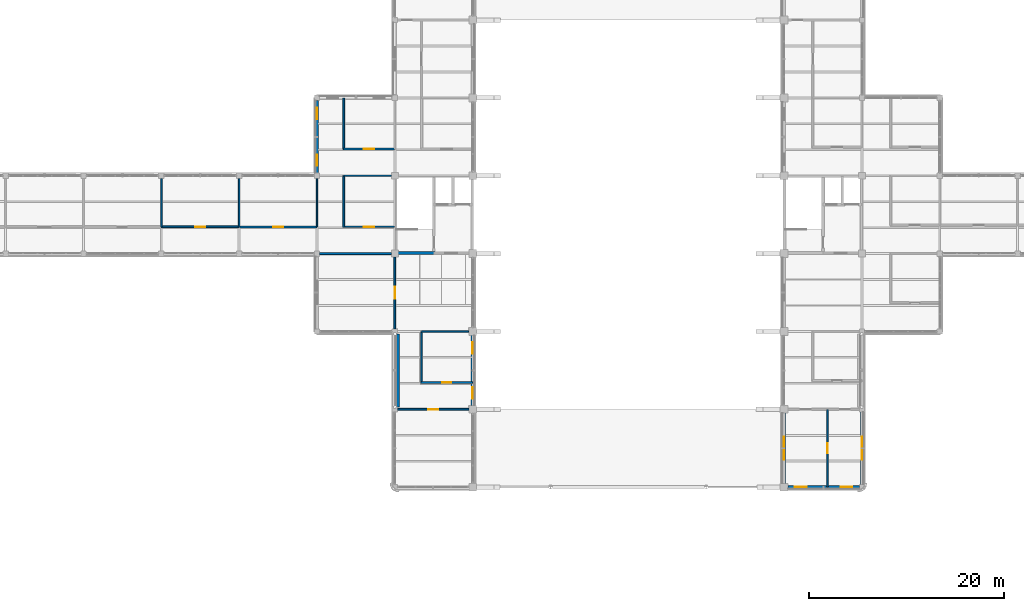
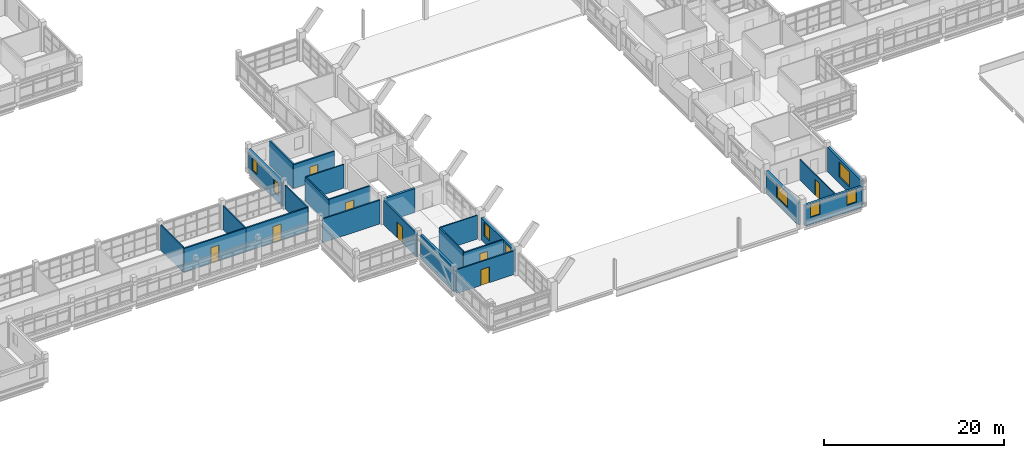
# One storey, part 65 of 92: 24 walls, 8 doors, 8 windows, 16 openings.
"""IFC4 building model written with IfcOpenShell, lengths in metres."""

from ifc_helpers import new_model, si_unit, derived_unit, direction, frame, frame_2d, origin, place, context, subcontext, project, spatial, rectangle, extrude, material, layer, layer_set, type_object, element, fill, save


model = new_model("IFC4")

# Units and contexts
model_context = context("Model", 3, precision=1e-05, world=origin(), true_north=direction((0.0, 1.0)))
body_context = subcontext(model_context, "Body", "Model", "MODEL_VIEW")
ifc_project = project(units=[si_unit("LENGTHUNIT", "METRE"), si_unit("AREAUNIT", "SQUARE_METRE"), si_unit("VOLUMEUNIT", "CUBIC_METRE"), si_unit("PLANEANGLEUNIT", "RADIAN"), si_unit("MASSUNIT", "GRAM", prefix="KILO"), derived_unit("THERMALTRANSMITTANCEUNIT", [(si_unit("MASSUNIT", "GRAM", prefix="KILO"), 1), (si_unit("TIMEUNIT", "SECOND"), -3), (si_unit("THERMODYNAMICTEMPERATUREUNIT", "KELVIN"), -1)])], contexts=[model_context])

# Site, building, storey
site_placement = place(None, origin())
site = spatial("IfcSite", under=ifc_project, at=site_placement, CompositionType="ELEMENT")
building_placement = place(site_placement, origin())
building = spatial("IfcBuilding", under=site, at=building_placement, Name="Veyamyaing Civic Hall", CompositionType="ELEMENT")
storey_placement = place(building_placement, frame((0.0, 0.0, 17.820068359375)))
storey = spatial("IfcBuildingStorey", under=building, at=storey_placement, Name="L04", CompositionType="ELEMENT", Elevation=17.820068359375)

# Wall, openings, windows
ifc_material_1 = material(Name="Precast concrete C40/50", Category="concrete")
ifc_layer_1 = layer(ifc_material_1, 0.304931640625, Name="Precast concrete C40/50")
ifc_layer_set_1 = layer_set([ifc_layer_1], Name="Precast concrete C40/50")
wall_type_1 = type_object("IfcWallType", Name="WT-03", PredefinedType="SOLIDWALL", material=ifc_layer_set_1)
wall_1_placement = place(storey_placement, frame((56.0, 56.260009765625, 0.0), z_axis=(0.0, 0.0, 1.0), x_axis=(0.0, 1.0, 0.0)))
wall_1 = element("IfcWall", 1, at=wall_1_placement, inside=storey, type_object=wall_type_1, Name="Exterior facade wall WT-03 L04 W 8.8", PredefinedType="SOLIDWALL", context=body_context, shape_type="SweptSolid", body=[
    extrude(rectangle(XDim=7.47998046875, YDim=0.304931640625, at=frame_2d((3.739990234375, 0.0))), origin(), (0.0, 0.0, 1.0), 3.288818359375),
])
opening_1_placement = place(wall_1_placement, frame((0.771484375, 0.0, 0.949951171875)))
opening_1 = element("IfcOpeningElement", 2, at=opening_1_placement, cuts=wall_1, Name="Opening W-32", PredefinedType="OPENING", context=body_context, shape_type="SweptSolid", body=[
    extrude(rectangle(XDim=1.14990234375, YDim=1.64990234375, at=frame_2d((0.574951171875, 0.824951171875))), frame((0.0, 0.162353515625, 0.0), z_axis=(0.0, -1.0, 0.0), x_axis=(1.0, 0.0, 0.0)), (0.0, 0.0, 1.0), 0.324951171875),
])
opening_2_placement = place(wall_1_placement, frame((5.55859375, 0.0, 0.949951171875)))
opening_2 = element("IfcOpeningElement", 3, at=opening_2_placement, cuts=wall_1, Name="Opening W-32", PredefinedType="OPENING", context=body_context, shape_type="SweptSolid", body=[
    extrude(rectangle(XDim=1.14990234375, YDim=1.64990234375, at=frame_2d((0.574951171875, 0.824951171875))), frame((0.0, 0.162353515625, 0.0), z_axis=(0.0, -1.0, 0.0), x_axis=(1.0, 0.0, 0.0)), (0.0, 0.0, 1.0), 0.324951171875),
])
ifc_material_2 = material(Name="Low-E insulated glass", Category="glass")
window_type_1 = type_object("IfcWindowType", Name="W-32", PartitioningType="SINGLE_PANEL", PredefinedType="WINDOW", material=ifc_material_2)
window_1_placement = place(opening_1_placement, origin())
window_1 = element("IfcWindow", 4, at=window_1_placement, inside=storey, type_object=window_type_1, Name="Facade window W-32 L04 W 8.8.1", OverallHeight=1.64990234375, OverallWidth=1.14990234375, PartitioningType="SINGLE_PANEL", PredefinedType="WINDOW", context=body_context, shape_type="SweptSolid", body=[
    extrude(rectangle(XDim=1.14990234375, YDim=1.64990234375, at=frame_2d((0.574951171875, 0.824951171875))), frame((0.0, 0.030029296875, 0.0), z_axis=(0.0, -1.0, 0.0), x_axis=(1.0, 0.0, 0.0)), (0.0, 0.0, 1.0), 0.06005859375),
])
fill(opening_1, window_1)
window_2_placement = place(opening_2_placement, origin())
window_2 = element("IfcWindow", 5, at=window_2_placement, inside=storey, type_object=window_type_1, Name="Facade window W-32 L04 W 8.8.2", OverallHeight=1.64990234375, OverallWidth=1.14990234375, PartitioningType="SINGLE_PANEL", PredefinedType="WINDOW", context=body_context, shape_type="SweptSolid", body=[
    extrude(rectangle(XDim=1.14990234375, YDim=1.64990234375, at=frame_2d((0.574951171875, 0.824951171875))), frame((0.0, 0.030029296875, 0.0), z_axis=(0.0, -1.0, 0.0), x_axis=(1.0, 0.0, 0.0)), (0.0, 0.0, 1.0), 0.06005859375),
])
fill(opening_2, window_2)

# Wall
wall_2_placement = place(storey_placement, frame((64.300048828125, 32.260009765625, 0.0), z_axis=(0.0, 0.0, 1.0), x_axis=(0.0, 1.0, 0.0)))
element("IfcWall", 6, at=wall_2_placement, inside=storey, type_object=wall_type_1, Name="Exterior facade wall WT-03 L04 W 9.5", PredefinedType="SOLIDWALL", context=body_context, shape_type="SweptSolid", body=[
    extrude(rectangle(XDim=7.47998046875, YDim=0.304931640625, at=frame_2d((3.739990234375, 0.0))), origin(), (0.0, 0.0, 1.0), 3.284912109375),
])

# Wall, openings, windows
wall_3_placement = place(storey_placement, frame((72.0, 32.385009765625, 0.0), z_axis=(0.0, 0.0, 1.0), x_axis=(0.0, 1.0, 0.0)))
wall_3 = element("IfcWall", 7, at=wall_3_placement, inside=storey, type_object=wall_type_1, Name="Exterior facade wall WT-03 L04 E 9.5", PredefinedType="SOLIDWALL", context=body_context, shape_type="SweptSolid", body=[
    extrude(rectangle(XDim=7.22998046875, YDim=0.304931640625, at=frame_2d((3.614990234375, 0.0))), origin(), (0.0, 0.0, 1.0), 3.001953125),
])
opening_3_placement = place(wall_3_placement, frame((0.701416015625, 0.0, 0.949951171875)))
opening_3 = element("IfcOpeningElement", 8, at=opening_3_placement, cuts=wall_3, Name="Opening W-14", PredefinedType="OPENING", context=body_context, shape_type="SweptSolid", body=[
    extrude(rectangle(XDim=1.199951171875, YDim=1.800048828125, at=frame_2d((0.60009765625, 0.89990234375))), frame((0.0, 0.162353515625, 0.0), z_axis=(0.0, -1.0, 0.0), x_axis=(1.0, 0.0, 0.0)), (0.0, 0.0, 1.0), 0.324951171875),
])
opening_4_placement = place(wall_3_placement, frame((5.32861328125, 0.0, 0.949951171875)))
opening_4 = element("IfcOpeningElement", 9, at=opening_4_placement, cuts=wall_3, Name="Opening W-14", PredefinedType="OPENING", context=body_context, shape_type="SweptSolid", body=[
    extrude(rectangle(XDim=1.199951171875, YDim=1.800048828125, at=frame_2d((0.60009765625, 0.89990234375))), frame((0.0, 0.162353515625, 0.0), z_axis=(0.0, -1.0, 0.0), x_axis=(1.0, 0.0, 0.0)), (0.0, 0.0, 1.0), 0.324951171875),
])
window_type_2 = type_object("IfcWindowType", Name="W-14", PartitioningType="SINGLE_PANEL", PredefinedType="WINDOW", material=ifc_material_2)
window_3_placement = place(opening_3_placement, origin())
window_3 = element("IfcWindow", 10, at=window_3_placement, inside=storey, type_object=window_type_2, Name="Facade window W-14 L04 E 9.5.1", OverallHeight=1.800048828125, OverallWidth=1.199951171875, PartitioningType="SINGLE_PANEL", PredefinedType="WINDOW", context=body_context, shape_type="SweptSolid", body=[
    extrude(rectangle(XDim=1.199951171875, YDim=1.800048828125, at=frame_2d((0.60009765625, 0.89990234375))), frame((0.0, 0.030029296875, 0.0), z_axis=(0.0, -1.0, 0.0), x_axis=(1.0, 0.0, 0.0)), (0.0, 0.0, 1.0), 0.06005859375),
])
fill(opening_3, window_3)
window_4_placement = place(opening_4_placement, origin())
window_4 = element("IfcWindow", 11, at=window_4_placement, inside=storey, type_object=window_type_2, Name="Facade window W-14 L04 E 9.5.2", OverallHeight=1.800048828125, OverallWidth=1.199951171875, PartitioningType="SINGLE_PANEL", PredefinedType="WINDOW", context=body_context, shape_type="SweptSolid", body=[
    extrude(rectangle(XDim=1.199951171875, YDim=1.800048828125, at=frame_2d((0.60009765625, 0.89990234375))), frame((0.0, 0.030029296875, 0.0), z_axis=(0.0, -1.0, 0.0), x_axis=(1.0, 0.0, 0.0)), (0.0, 0.0, 1.0), 0.06005859375),
])
fill(opening_4, window_4)

wall_4_placement = place(storey_placement, frame((104.385009765625, 24.0, 0.0), z_axis=(0.0, 0.0, 1.0), x_axis=(1.0, 0.0, 0.0)))
wall_4 = element("IfcWall", 12, at=wall_4_placement, inside=storey, type_object=wall_type_1, Name="Exterior facade wall WT-03 L04 S 14.4", PredefinedType="SOLIDWALL", context=body_context, shape_type="SweptSolid", body=[
    extrude(rectangle(XDim=7.35498046875, YDim=0.304931640625, at=frame_2d((3.677490234375, 0.0))), origin(), (0.0, 0.0, 1.0), 2.81689453125),
])
opening_5_placement = place(wall_4_placement, frame((0.723876953125, 0.0, 0.949951171875)))
opening_5 = element("IfcOpeningElement", 13, at=opening_5_placement, cuts=wall_4, Name="Opening W-14", PredefinedType="OPENING", context=body_context, shape_type="SweptSolid", body=[
    extrude(rectangle(XDim=1.199951171875, YDim=1.800048828125, at=frame_2d((0.60009765625, 0.89990234375))), frame((0.0, 0.162353515625, 0.0), z_axis=(0.0, -1.0, 0.0), x_axis=(1.0, 0.0, 0.0)), (0.0, 0.0, 1.0), 0.324951171875),
])
opening_6_placement = place(wall_4_placement, frame((5.43115234375, 0.0, 0.949951171875)))
opening_6 = element("IfcOpeningElement", 14, at=opening_6_placement, cuts=wall_4, Name="Opening W-14", PredefinedType="OPENING", context=body_context, shape_type="SweptSolid", body=[
    extrude(rectangle(XDim=1.199951171875, YDim=1.800048828125, at=frame_2d((0.60009765625, 0.89990234375))), frame((0.0, 0.162353515625, 0.0), z_axis=(0.0, -1.0, 0.0), x_axis=(1.0, 0.0, 0.0)), (0.0, 0.0, 1.0), 0.324951171875),
])
window_5_placement = place(opening_5_placement, origin())
window_5 = element("IfcWindow", 15, at=window_5_placement, inside=storey, type_object=window_type_2, Name="Facade window W-14 L04 S 14.4.1", OverallHeight=1.800048828125, OverallWidth=1.199951171875, PartitioningType="SINGLE_PANEL", PredefinedType="WINDOW", context=body_context, shape_type="SweptSolid", body=[
    extrude(rectangle(XDim=1.199951171875, YDim=1.800048828125, at=frame_2d((0.60009765625, 0.89990234375))), frame((0.0, 0.030029296875, 0.0), z_axis=(0.0, -1.0, 0.0), x_axis=(1.0, 0.0, 0.0)), (0.0, 0.0, 1.0), 0.06005859375),
])
fill(opening_5, window_5)
window_6_placement = place(opening_6_placement, origin())
window_6 = element("IfcWindow", 16, at=window_6_placement, inside=storey, type_object=window_type_2, Name="Facade window W-14 L04 S 14.4.2", OverallHeight=1.800048828125, OverallWidth=1.199951171875, PartitioningType="SINGLE_PANEL", PredefinedType="WINDOW", context=body_context, shape_type="SweptSolid", body=[
    extrude(rectangle(XDim=1.199951171875, YDim=1.800048828125, at=frame_2d((0.60009765625, 0.89990234375))), frame((0.0, 0.030029296875, 0.0), z_axis=(0.0, -1.0, 0.0), x_axis=(1.0, 0.0, 0.0)), (0.0, 0.0, 1.0), 0.06005859375),
])
fill(opening_6, window_6)

# Wall, opening, window
wall_5_placement = place(storey_placement, frame((104.0, 24.385009765625, 0.0), z_axis=(0.0, 0.0, 1.0), x_axis=(0.0, 1.0, 0.0)))
wall_5 = element("IfcWall", 17, at=wall_5_placement, inside=storey, type_object=wall_type_1, Name="Exterior facade wall WT-03 L04 W 14.4", PredefinedType="SOLIDWALL", context=body_context, shape_type="SweptSolid", body=[
    extrude(rectangle(XDim=7.22998046875, YDim=0.304931640625, at=frame_2d((3.614990234375, 0.0))), origin(), (0.0, 0.0, 1.0), 3.001953125),
])
opening_7_placement = place(wall_5_placement, frame((2.4150390625, 0.0, 0.89990234375)))
opening_7 = element("IfcOpeningElement", 18, at=opening_7_placement, cuts=wall_5, Name="Opening W-34", PredefinedType="OPENING", context=body_context, shape_type="SweptSolid", body=[
    extrude(rectangle(XDim=2.39990234375, YDim=1.902099609375, at=frame_2d((1.199951171875, 0.951171875))), frame((0.0, 0.162353515625, 0.0), z_axis=(0.0, -1.0, 0.0), x_axis=(1.0, 0.0, 0.0)), (0.0, 0.0, 1.0), 0.324951171875),
])
window_type_3 = type_object("IfcWindowType", Name="W-34", PartitioningType="SINGLE_PANEL", PredefinedType="WINDOW", material=ifc_material_2)
window_7_placement = place(opening_7_placement, origin())
window_7 = element("IfcWindow", 19, at=window_7_placement, inside=storey, type_object=window_type_3, Name="Facade window W-34 L04 W 14.4", OverallHeight=1.902099609375, OverallWidth=2.39990234375, PartitioningType="SINGLE_PANEL", PredefinedType="WINDOW", context=body_context, shape_type="SweptSolid", body=[
    extrude(rectangle(XDim=2.39990234375, YDim=1.902099609375, at=frame_2d((1.199951171875, 0.951171875))), frame((0.0, 0.030029296875, 0.0), z_axis=(0.0, -1.0, 0.0), x_axis=(1.0, 0.0, 0.0)), (0.0, 0.0, 1.0), 0.06005859375),
])
fill(opening_7, window_7)

wall_6_placement = place(storey_placement, frame((112.0, 24.260009765625, 0.0), z_axis=(0.0, 0.0, 1.0), x_axis=(0.0, 1.0, 0.0)))
wall_6 = element("IfcWall", 20, at=wall_6_placement, inside=storey, type_object=wall_type_1, Name="Exterior facade wall WT-03 L04 E 14.4", PredefinedType="SOLIDWALL", context=body_context, shape_type="SweptSolid", body=[
    extrude(rectangle(XDim=7.47998046875, YDim=0.304931640625, at=frame_2d((3.739990234375, 0.0))), origin(), (0.0, 0.0, 1.0), 3.348876953125),
])
opening_8_placement = place(wall_6_placement, frame((2.5400390625, 0.0, 0.89990234375)))
opening_8 = element("IfcOpeningElement", 21, at=opening_8_placement, cuts=wall_6, Name="Opening W-07", PredefinedType="OPENING", context=body_context, shape_type="SweptSolid", body=[
    extrude(rectangle(XDim=2.39990234375, YDim=2.0, at=frame_2d((1.199951171875, 1.0))), frame((0.0, 0.162353515625, 0.0), z_axis=(0.0, -1.0, 0.0), x_axis=(1.0, 0.0, 0.0)), (0.0, 0.0, 1.0), 0.324951171875),
])
window_type_4 = type_object("IfcWindowType", Name="W-07", PartitioningType="SINGLE_PANEL", PredefinedType="WINDOW", material=ifc_material_2)
window_8_placement = place(opening_8_placement, origin())
window_8 = element("IfcWindow", 22, at=window_8_placement, inside=storey, type_object=window_type_4, Name="Facade window W-07 L04 E 14.4", OverallHeight=2.0, OverallWidth=2.39990234375, PartitioningType="SINGLE_PANEL", PredefinedType="WINDOW", context=body_context, shape_type="SweptSolid", body=[
    extrude(rectangle(XDim=2.39990234375, YDim=2.0, at=frame_2d((1.199951171875, 1.0))), frame((0.0, 0.030029296875, 0.0), z_axis=(0.0, -1.0, 0.0), x_axis=(1.0, 0.0, 0.0)), (0.0, 0.0, 1.0), 0.06005859375),
])
fill(opening_8, window_8)

# Wall
ifc_material_3 = material(Name="Concrete C40/50", Category="concrete")
ifc_layer_2 = layer(ifc_material_3, 0.300048828125, Name="Concrete C40/50")
ifc_layer_set_2 = layer_set([ifc_layer_2], Name="Concrete C40/50")
wall_type_2 = type_object("IfcWallType", Name="WT-05", PredefinedType="SHEAR", material=ifc_layer_set_2)
wall_7_placement = place(storey_placement, frame((64.239990234375, 48.050048828125, 0.0), z_axis=(0.0, 0.0, 1.0), x_axis=(1.0, 0.0, 0.0)))
element("IfcWall", 23, at=wall_7_placement, inside=storey, type_object=wall_type_2, Name="Core shear wall WT-05 CORE-5 L04.SS", PredefinedType="SHEAR", context=body_context, shape_type="SweptSolid", body=[
    extrude(rectangle(XDim=3.909912109375, YDim=0.300048828125, at=frame_2d((1.955078125, 0.0))), origin(), (0.0, 0.0, 1.0), 3.225830078125),
])

# Wall, opening, door
ifc_material_4 = material(Name="Gypsum board on acoustic steel stud", Category="steel")
ifc_layer_3 = layer(ifc_material_4, 0.175048828125, Name="Gypsum board on acoustic steel stud")
ifc_layer_set_3 = layer_set([ifc_layer_3], Name="Gypsum board on acoustic steel stud")
wall_type_3 = type_object("IfcWallType", Name="WT-07", PredefinedType="PARTITIONING", material=ifc_layer_set_3)
wall_8_placement = place(storey_placement, frame((40.02001953125, 50.75, 0.0), z_axis=(0.0, 0.0, 1.0), x_axis=(1.0, 0.0, 0.0)))
wall_8 = element("IfcWall", 24, at=wall_8_placement, inside=storey, type_object=wall_type_3, Name="Corridor gallery partition WT-07 L04.15.1", PredefinedType="PARTITIONING", context=body_context, shape_type="SweptSolid", body=[
    extrude(rectangle(XDim=7.9599609375, YDim=0.175048828125, at=frame_2d((3.97998046875, 0.0))), origin(), (0.0, 0.0, 1.0), 3.23193359375),
])
opening_9_placement = place(wall_8_placement, frame((3.455078125, 0.0, 0.0)))
opening_9 = element("IfcOpeningElement", 25, at=opening_9_placement, cuts=wall_8, Name="Opening D-12", PredefinedType="OPENING", context=body_context, shape_type="SweptSolid", body=[
    extrude(rectangle(XDim=1.050048828125, YDim=2.14990234375, at=frame_2d((0.52490234375, 1.074951171875))), frame((0.0, 0.097412109375, 0.0), z_axis=(0.0, -1.0, 0.0), x_axis=(1.0, 0.0, 0.0)), (0.0, 0.0, 1.0), 0.195068359375),
])
ifc_material_5 = material(Name="Teak-veneered acoustic timber", Category="wood")
door_type_1 = type_object("IfcDoorType", Name="D-12", OperationType="NOTDEFINED", PredefinedType="DOOR", material=ifc_material_5)
door_1_placement = place(opening_9_placement, origin())
door_1 = element("IfcDoor", 26, at=door_1_placement, inside=storey, type_object=door_type_1, Name="Gallery office door D-12 L04.15", OperationType="SINGLE_SWING_RIGHT", OverallHeight=2.14990234375, OverallWidth=1.050048828125, PredefinedType="DOOR", context=body_context, shape_type="SweptSolid", body=[
    extrude(rectangle(XDim=1.050048828125, YDim=2.14990234375, at=frame_2d((0.52490234375, 1.074951171875))), frame((0.0, 0.02490234375, 0.0), z_axis=(0.0, -1.0, 0.0), x_axis=(1.0, 0.0, 0.0)), (0.0, 0.0, 1.0), 0.050048828125),
])
fill(opening_9, door_1)

wall_9_placement = place(storey_placement, frame((58.699951171875, 50.75, 0.0), z_axis=(0.0, 0.0, 1.0), x_axis=(1.0, 0.0, 0.0)))
wall_9 = element("IfcWall", 27, at=wall_9_placement, inside=storey, type_object=wall_type_3, Name="Corridor gallery partition WT-07 L04.19.1", PredefinedType="PARTITIONING", context=body_context, shape_type="SweptSolid", body=[
    extrude(rectangle(XDim=5.280029296875, YDim=0.175048828125, at=frame_2d((2.64013671875, 0.0))), origin(), (0.0, 0.0, 1.0), 3.376953125),
])
opening_10_placement = place(wall_9_placement, frame((2.10009765625, 0.0, 0.0)))
opening_10 = element("IfcOpeningElement", 28, at=opening_10_placement, cuts=wall_9, Name="Opening D-23", PredefinedType="OPENING", context=body_context, shape_type="SweptSolid", body=[
    extrude(rectangle(XDim=1.080078125, YDim=2.199951171875, at=frame_2d((0.5400390625, 1.10009765625))), frame((0.0, 0.097412109375, 0.0), z_axis=(0.0, -1.0, 0.0), x_axis=(1.0, 0.0, 0.0)), (0.0, 0.0, 1.0), 0.195068359375),
])
door_type_2 = type_object("IfcDoorType", Name="D-23", OperationType="NOTDEFINED", PredefinedType="DOOR", material=ifc_material_5)
door_2_placement = place(opening_10_placement, origin())
door_2 = element("IfcDoor", 29, at=door_2_placement, inside=storey, type_object=door_type_2, Name="Gallery office door D-23 L04.19", OperationType="SINGLE_SWING_RIGHT", OverallHeight=2.199951171875, OverallWidth=1.080078125, PredefinedType="DOOR", context=body_context, shape_type="SweptSolid", body=[
    extrude(rectangle(XDim=1.080078125, YDim=2.199951171875, at=frame_2d((0.5400390625, 1.10009765625))), frame((0.0, 0.02490234375, 0.0), z_axis=(0.0, -1.0, 0.0), x_axis=(1.0, 0.0, 0.0)), (0.0, 0.0, 1.0), 0.050048828125),
])
fill(opening_10, door_2)

# Wall
wall_10_placement = place(storey_placement, frame((58.75, 50.699951171875, 0.0), z_axis=(0.0, 0.0, 1.0), x_axis=(0.0, 1.0, 0.0)))
element("IfcWall", 30, at=wall_10_placement, inside=storey, type_object=wall_type_3, Name="Corridor gallery partition WT-07 L04.19.2", PredefinedType="PARTITIONING", context=body_context, shape_type="SweptSolid", body=[
    extrude(rectangle(XDim=5.280029296875, YDim=0.175048828125, at=frame_2d((2.64013671875, 0.0))), origin(), (0.0, 0.0, 1.0), 3.225830078125),
])

# Wall, opening, door
wall_11_placement = place(storey_placement, frame((66.699951171875, 34.75, 0.0), z_axis=(0.0, 0.0, 1.0), x_axis=(1.0, 0.0, 0.0)))
wall_11 = element("IfcWall", 31, at=wall_11_placement, inside=storey, type_object=wall_type_3, Name="Corridor gallery partition WT-07 L04.21.1", PredefinedType="PARTITIONING", context=body_context, shape_type="SweptSolid", body=[
    extrude(rectangle(XDim=5.280029296875, YDim=0.175048828125, at=frame_2d((2.64013671875, 0.0))), origin(), (0.0, 0.0, 1.0), 2.994873046875),
])
opening_11_placement = place(wall_11_placement, frame((2.159912109375, 0.0, 0.0)))
opening_11 = element("IfcOpeningElement", 32, at=opening_11_placement, cuts=wall_11, Name="Opening D-25", PredefinedType="OPENING", context=body_context, shape_type="SweptSolid", body=[
    extrude(rectangle(XDim=0.9599609375, YDim=2.139892578125, at=frame_2d((0.47998046875, 1.06982421875))), frame((0.0, 0.097412109375, 0.0), z_axis=(0.0, -1.0, 0.0), x_axis=(1.0, 0.0, 0.0)), (0.0, 0.0, 1.0), 0.195068359375),
])
door_type_3 = type_object("IfcDoorType", Name="D-25", OperationType="NOTDEFINED", PredefinedType="DOOR", material=ifc_material_5)
door_3_placement = place(opening_11_placement, origin())
door_3 = element("IfcDoor", 33, at=door_3_placement, inside=storey, type_object=door_type_3, Name="Gallery office door D-25 L04.21", OperationType="SINGLE_SWING_RIGHT", OverallHeight=2.139892578125, OverallWidth=0.9599609375, PredefinedType="DOOR", context=body_context, shape_type="SweptSolid", body=[
    extrude(rectangle(XDim=0.9599609375, YDim=2.139892578125, at=frame_2d((0.47998046875, 1.06982421875))), frame((0.0, 0.02490234375, 0.0), z_axis=(0.0, -1.0, 0.0), x_axis=(1.0, 0.0, 0.0)), (0.0, 0.0, 1.0), 0.050048828125),
])
fill(opening_11, door_3)

# Wall
wall_12_placement = place(storey_placement, frame((66.75, 34.699951171875, 0.0), z_axis=(0.0, 0.0, 1.0), x_axis=(0.0, 1.0, 0.0)))
element("IfcWall", 34, at=wall_12_placement, inside=storey, type_object=wall_type_3, Name="Corridor gallery partition WT-07 L04.21.2", PredefinedType="PARTITIONING", context=body_context, shape_type="SweptSolid", body=[
    extrude(rectangle(XDim=5.280029296875, YDim=0.175048828125, at=frame_2d((2.64013671875, 0.0))), origin(), (0.0, 0.0, 1.0), 3.238037109375),
])

# Wall, opening, door
wall_13_placement = place(storey_placement, frame((64.0, 40.264892578125, 0.0), z_axis=(0.0, 0.0, 1.0), x_axis=(0.0, 1.0, 0.0)))
wall_13 = element("IfcWall", 35, at=wall_13_placement, inside=storey, type_object=wall_type_3, Name="Interior partition wall WT-07 L04.13", PredefinedType="PARTITIONING", context=body_context, shape_type="SweptSolid", body=[
    extrude(rectangle(XDim=7.39501953125, YDim=0.175048828125, at=frame_2d((3.697509765625, 0.0))), origin(), (0.0, 0.0, 1.0), 3.238037109375),
])
opening_12_placement = place(wall_13_placement, frame((3.072509765625, 0.0, 0.0)))
opening_12 = element("IfcOpeningElement", 36, at=opening_12_placement, cuts=wall_13, Name="Opening D-29", PredefinedType="OPENING", context=body_context, shape_type="SweptSolid", body=[
    extrude(rectangle(XDim=1.25, YDim=2.179931640625, at=frame_2d((0.625, 1.08984375))), frame((0.0, 0.097412109375, 0.0), z_axis=(0.0, -1.0, 0.0), x_axis=(1.0, 0.0, 0.0)), (0.0, 0.0, 1.0), 0.195068359375),
])
door_type_4 = type_object("IfcDoorType", Name="D-29", OperationType="NOTDEFINED", PredefinedType="DOOR", material=ifc_material_5)
door_4_placement = place(opening_12_placement, origin())
door_4 = element("IfcDoor", 37, at=door_4_placement, inside=storey, type_object=door_type_4, Name="Interior door D-29 L04.13", OperationType="SINGLE_SWING_LEFT", OverallHeight=2.179931640625, OverallWidth=1.25, PredefinedType="DOOR", context=body_context, shape_type="SweptSolid", body=[
    extrude(rectangle(XDim=1.25, YDim=2.179931640625, at=frame_2d((0.625, 1.08984375))), frame((0.0, 0.02490234375, 0.0), z_axis=(0.0, -1.0, 0.0), x_axis=(1.0, 0.0, 0.0)), (0.0, 0.0, 1.0), 0.050048828125),
])
fill(opening_12, door_4)

wall_14_placement = place(storey_placement, frame((64.264892578125, 32.0, 0.0), z_axis=(0.0, 0.0, 1.0), x_axis=(1.0, 0.0, 0.0)))
wall_14 = element("IfcWall", 38, at=wall_14_placement, inside=storey, type_object=wall_type_3, Name="Interior partition wall WT-07 L04.15", PredefinedType="PARTITIONING", context=body_context, shape_type="SweptSolid", body=[
    extrude(rectangle(XDim=7.34521484375, YDim=0.175048828125, at=frame_2d((3.672607421875, 0.0))), origin(), (0.0, 0.0, 1.0), 3.23193359375),
])
opening_13_placement = place(wall_14_placement, frame((3.1474609375, 0.0, 0.0)))
opening_13 = element("IfcOpeningElement", 39, at=opening_13_placement, cuts=wall_14, Name="Opening D-12", PredefinedType="OPENING", context=body_context, shape_type="SweptSolid", body=[
    extrude(rectangle(XDim=1.050048828125, YDim=2.14990234375, at=frame_2d((0.52490234375, 1.074951171875))), frame((0.0, 0.097412109375, 0.0), z_axis=(0.0, -1.0, 0.0), x_axis=(1.0, 0.0, 0.0)), (0.0, 0.0, 1.0), 0.195068359375),
])
door_5_placement = place(opening_13_placement, frame((1.050048828125, 0.0, 0.0), z_axis=(0.0, 0.0, 1.0), x_axis=(-1.0, 0.0, 0.0)))
door_5 = element("IfcDoor", 40, at=door_5_placement, inside=storey, type_object=door_type_1, Name="Interior door D-12 L04.15", OperationType="SINGLE_SWING_RIGHT", OverallHeight=2.14990234375, OverallWidth=1.050048828125, PredefinedType="DOOR", context=body_context, shape_type="SweptSolid", body=[
    extrude(rectangle(XDim=1.050048828125, YDim=2.14990234375, at=frame_2d((0.52490234375, 1.074951171875))), frame((0.0, 0.02490234375, 0.0), z_axis=(0.0, -1.0, 0.0), x_axis=(1.0, 0.0, 0.0)), (0.0, 0.0, 1.0), 0.050048828125),
])
fill(opening_13, door_5)

# Walls
ifc_material_6 = material(Name="Gypsum board on steel stud", Category="steel")
ifc_layer_4 = layer(ifc_material_6, 0.14990234375, Name="Gypsum board on steel stud")
ifc_layer_set_4 = layer_set([ifc_layer_4], Name="Gypsum board on steel stud")
wall_type_4 = type_object("IfcWallType", Name="WT-08", PredefinedType="PARTITIONING", material=ifc_layer_set_4)
wall_15_placement = place(storey_placement, frame((40.0, 50.75, 0.0), z_axis=(0.0, 0.0, 1.0), x_axis=(0.0, 1.0, 0.0)))
element("IfcWall", 41, at=wall_15_placement, inside=storey, type_object=wall_type_4, Name="Gallery office end partition WT-08 L04.14.2", PredefinedType="PARTITIONING", context=body_context, shape_type="SweptSolid", body=[
    extrude(rectangle(XDim=4.965087890625, YDim=0.14990234375, at=frame_2d((2.482421875, 0.0))), origin(), (0.0, 0.0, 1.0), 3.43701171875),
])
wall_16_placement = place(storey_placement, frame((48.0, 50.75, 0.0), z_axis=(0.0, 0.0, 1.0), x_axis=(0.0, 1.0, 0.0)))
element("IfcWall", 42, at=wall_16_placement, inside=storey, type_object=wall_type_4, Name="Gallery office end partition WT-08 L04.15.2", PredefinedType="PARTITIONING", context=body_context, shape_type="SweptSolid", body=[
    extrude(rectangle(XDim=4.965087890625, YDim=0.14990234375, at=frame_2d((2.482421875, 0.0))), origin(), (0.0, 0.0, 1.0), 3.23193359375),
])
wall_17_placement = place(storey_placement, frame((56.0, 50.75, 0.0), z_axis=(0.0, 0.0, 1.0), x_axis=(0.0, 1.0, 0.0)))
element("IfcWall", 43, at=wall_17_placement, inside=storey, type_object=wall_type_4, Name="Gallery office end partition WT-08 L04.18.2", PredefinedType="PARTITIONING", context=body_context, shape_type="SweptSolid", body=[
    extrude(rectangle(XDim=4.965087890625, YDim=0.14990234375, at=frame_2d((2.482421875, 0.0))), origin(), (0.0, 0.0, 1.0), 3.238037109375),
])
wall_18_placement = place(storey_placement, frame((58.75, 56.0, 0.0), z_axis=(0.0, 0.0, 1.0), x_axis=(1.0, 0.0, 0.0)))
element("IfcWall", 44, at=wall_18_placement, inside=storey, type_object=wall_type_4, Name="Gallery office end partition WT-08 L04.19.1", PredefinedType="PARTITIONING", context=body_context, shape_type="SweptSolid", body=[
    extrude(rectangle(XDim=4.889892578125, YDim=0.14990234375, at=frame_2d((2.44482421875, 0.0))), origin(), (0.0, 0.0, 1.0), 3.225830078125),
])
wall_19_placement = place(storey_placement, frame((66.75, 40.0, 0.0), z_axis=(0.0, 0.0, 1.0), x_axis=(1.0, 0.0, 0.0)))
element("IfcWall", 45, at=wall_19_placement, inside=storey, type_object=wall_type_4, Name="Gallery office end partition WT-08 L04.21.1", PredefinedType="PARTITIONING", context=body_context, shape_type="SweptSolid", body=[
    extrude(rectangle(XDim=4.840087890625, YDim=0.14990234375, at=frame_2d((2.419921875, 0.0))), origin(), (0.0, 0.0, 1.0), 3.238037109375),
])

# Wall, opening, door
ifc_layer_5 = layer(ifc_material_6, 0.135009765625, Name="Gypsum board on steel stud")
ifc_layer_set_5 = layer_set([ifc_layer_5], Name="Gypsum board on steel stud")
wall_type_5 = type_object("IfcWallType", Name="WT-15", PredefinedType="PARTITIONING", material=ifc_layer_set_5)
wall_20_placement = place(storey_placement, frame((108.449951171875, 24.02001953125, 0.0), z_axis=(0.0, 0.0, 1.0), x_axis=(0.0, 1.0, 0.0)))
wall_20 = element("IfcWall", 46, at=wall_20_placement, inside=storey, type_object=wall_type_5, Name="Sub-bay room partition WT-15 L04.2", PredefinedType="PARTITIONING", context=body_context, shape_type="SweptSolid", body=[
    extrude(rectangle(XDim=7.9599609375, YDim=0.135009765625, at=frame_2d((3.97998046875, 0.0))), origin(), (0.0, 0.0, 1.0), 2.809814453125),
])
opening_14_placement = place(wall_20_placement, frame((3.489990234375, 0.0, 0.0)))
opening_14 = element("IfcOpeningElement", 47, at=opening_14_placement, cuts=wall_20, Name="Opening D-14", PredefinedType="OPENING", context=body_context, shape_type="SweptSolid", body=[
    extrude(rectangle(XDim=0.97998046875, YDim=2.14990234375, at=frame_2d((0.489990234375, 1.074951171875))), frame((0.0, 0.077392578125, 0.0), z_axis=(0.0, -1.0, 0.0), x_axis=(1.0, 0.0, 0.0)), (0.0, 0.0, 1.0), 0.155029296875),
])
door_type_5 = type_object("IfcDoorType", Name="D-14", OperationType="NOTDEFINED", PredefinedType="DOOR", material=ifc_material_5)
door_6_placement = place(opening_14_placement, origin())
door_6 = element("IfcDoor", 48, at=door_6_placement, inside=storey, type_object=door_type_5, Name="Suite connecting door D-14 L04.2", OperationType="SINGLE_SWING_RIGHT", OverallHeight=2.14990234375, OverallWidth=0.97998046875, PredefinedType="DOOR", context=body_context, shape_type="SweptSolid", body=[
    extrude(rectangle(XDim=0.97998046875, YDim=2.14990234375, at=frame_2d((0.489990234375, 1.074951171875))), frame((0.0, 0.02490234375, 0.0), z_axis=(0.0, -1.0, 0.0), x_axis=(1.0, 0.0, 0.0)), (0.0, 0.0, 1.0), 0.050048828125),
])
fill(opening_14, door_6)

ifc_material_7 = material(Name="Gypsum board on double acoustic stud")
ifc_layer_6 = layer(ifc_material_7, 0.18505859375, Name="Gypsum board on double acoustic stud")
ifc_layer_set_6 = layer_set([ifc_layer_6], Name="Gypsum board on double acoustic stud")
wall_type_6 = type_object("IfcWallType", Name="WT-19", PredefinedType="PARTITIONING", material=ifc_layer_set_6)
wall_21_placement = place(storey_placement, frame((48.02001953125, 50.75, 0.0), z_axis=(0.0, 0.0, 1.0), x_axis=(1.0, 0.0, 0.0)))
wall_21 = element("IfcWall", 49, at=wall_21_placement, inside=storey, type_object=wall_type_6, Name="Corridor gallery partition WT-19 L04.18.1", PredefinedType="PARTITIONING", context=body_context, shape_type="SweptSolid", body=[
    extrude(rectangle(XDim=7.9599609375, YDim=0.18505859375, at=frame_2d((3.97998046875, 0.0))), origin(), (0.0, 0.0, 1.0), 3.23193359375),
])
opening_15_placement = place(wall_21_placement, frame((3.469970703125, 0.0, 0.0)))
opening_15 = element("IfcOpeningElement", 50, at=opening_15_placement, cuts=wall_21, Name="Opening D-19", PredefinedType="OPENING", context=body_context, shape_type="SweptSolid", body=[
    extrude(rectangle(XDim=1.02001953125, YDim=2.199951171875, at=frame_2d((0.510009765625, 1.10009765625))), frame((0.0, 0.1025390625, 0.0), z_axis=(0.0, -1.0, 0.0), x_axis=(1.0, 0.0, 0.0)), (0.0, 0.0, 1.0), 0.205078125),
])
door_type_6 = type_object("IfcDoorType", Name="D-19", OperationType="NOTDEFINED", PredefinedType="DOOR", material=ifc_material_5)
door_7_placement = place(opening_15_placement, origin())
door_7 = element("IfcDoor", 51, at=door_7_placement, inside=storey, type_object=door_type_6, Name="Gallery office door D-19 L04.18", OperationType="SINGLE_SWING_LEFT", OverallHeight=2.199951171875, OverallWidth=1.02001953125, PredefinedType="DOOR", context=body_context, shape_type="SweptSolid", body=[
    extrude(rectangle(XDim=1.02001953125, YDim=2.199951171875, at=frame_2d((0.510009765625, 1.10009765625))), frame((0.0, 0.02490234375, 0.0), z_axis=(0.0, -1.0, 0.0), x_axis=(1.0, 0.0, 0.0)), (0.0, 0.0, 1.0), 0.050048828125),
])
fill(opening_15, door_7)

wall_22_placement = place(storey_placement, frame((58.699951171875, 58.75, 0.0), z_axis=(0.0, 0.0, 1.0), x_axis=(1.0, 0.0, 0.0)))
wall_22 = element("IfcWall", 52, at=wall_22_placement, inside=storey, type_object=wall_type_6, Name="Corridor gallery partition WT-19 L04.20.1", PredefinedType="PARTITIONING", context=body_context, shape_type="SweptSolid", body=[
    extrude(rectangle(XDim=5.280029296875, YDim=0.18505859375, at=frame_2d((2.64013671875, 0.0))), origin(), (0.0, 0.0, 1.0), 3.23193359375),
])
opening_16_placement = place(wall_22_placement, frame((2.1201171875, 0.0, 0.0)))
opening_16 = element("IfcOpeningElement", 53, at=opening_16_placement, cuts=wall_22, Name="Opening D-24", PredefinedType="OPENING", context=body_context, shape_type="SweptSolid", body=[
    extrude(rectangle(XDim=1.0400390625, YDim=2.179931640625, at=frame_2d((0.52001953125, 1.08984375))), frame((0.0, 0.1025390625, 0.0), z_axis=(0.0, -1.0, 0.0), x_axis=(1.0, 0.0, 0.0)), (0.0, 0.0, 1.0), 0.205078125),
])
door_type_7 = type_object("IfcDoorType", Name="D-24", OperationType="NOTDEFINED", PredefinedType="DOOR", material=ifc_material_5)
door_8_placement = place(opening_16_placement, origin())
door_8 = element("IfcDoor", 54, at=door_8_placement, inside=storey, type_object=door_type_7, Name="Gallery office door D-24 L04.20", OperationType="SINGLE_SWING_LEFT", OverallHeight=2.179931640625, OverallWidth=1.0400390625, PredefinedType="DOOR", context=body_context, shape_type="SweptSolid", body=[
    extrude(rectangle(XDim=1.0400390625, YDim=2.179931640625, at=frame_2d((0.52001953125, 1.08984375))), frame((0.0, 0.02490234375, 0.0), z_axis=(0.0, -1.0, 0.0), x_axis=(1.0, 0.0, 0.0)), (0.0, 0.0, 1.0), 0.050048828125),
])
fill(opening_16, door_8)

# Walls
wall_23_placement = place(storey_placement, frame((58.75, 58.699951171875, 0.0), z_axis=(0.0, 0.0, 1.0), x_axis=(0.0, 1.0, 0.0)))
element("IfcWall", 55, at=wall_23_placement, inside=storey, type_object=wall_type_6, Name="Corridor gallery partition WT-19 L04.20.2", PredefinedType="PARTITIONING", context=body_context, shape_type="SweptSolid", body=[
    extrude(rectangle(XDim=5.280029296875, YDim=0.18505859375, at=frame_2d((2.64013671875, 0.0))), origin(), (0.0, 0.0, 1.0), 3.344970703125),
])
wall_24_placement = place(storey_placement, frame((56.264892578125, 48.0, 0.0), z_axis=(0.0, 0.0, 1.0), x_axis=(1.0, 0.0, 0.0)))
element("IfcWall", 56, at=wall_24_placement, inside=storey, type_object=wall_type_6, Name="Interior partition wall WT-19 L04.14", PredefinedType="PARTITIONING", context=body_context, shape_type="SweptSolid", body=[
    extrude(rectangle(XDim=7.39501953125, YDim=0.18505859375, at=frame_2d((3.697509765625, 0.0))), origin(), (0.0, 0.0, 1.0), 3.238037109375),
])

save(model, "model.ifc")
